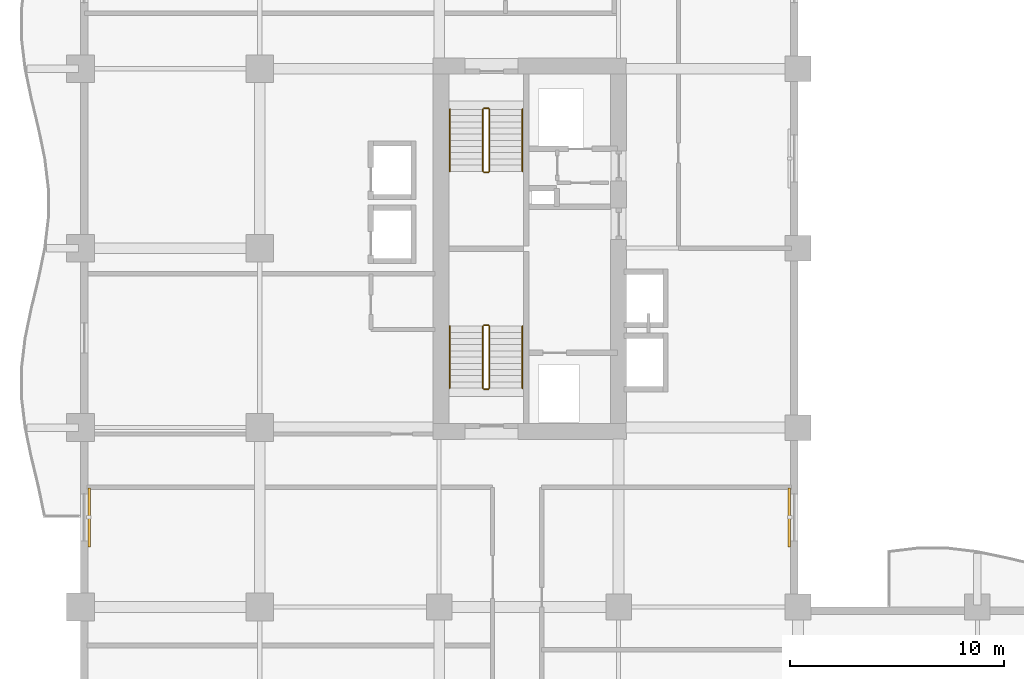
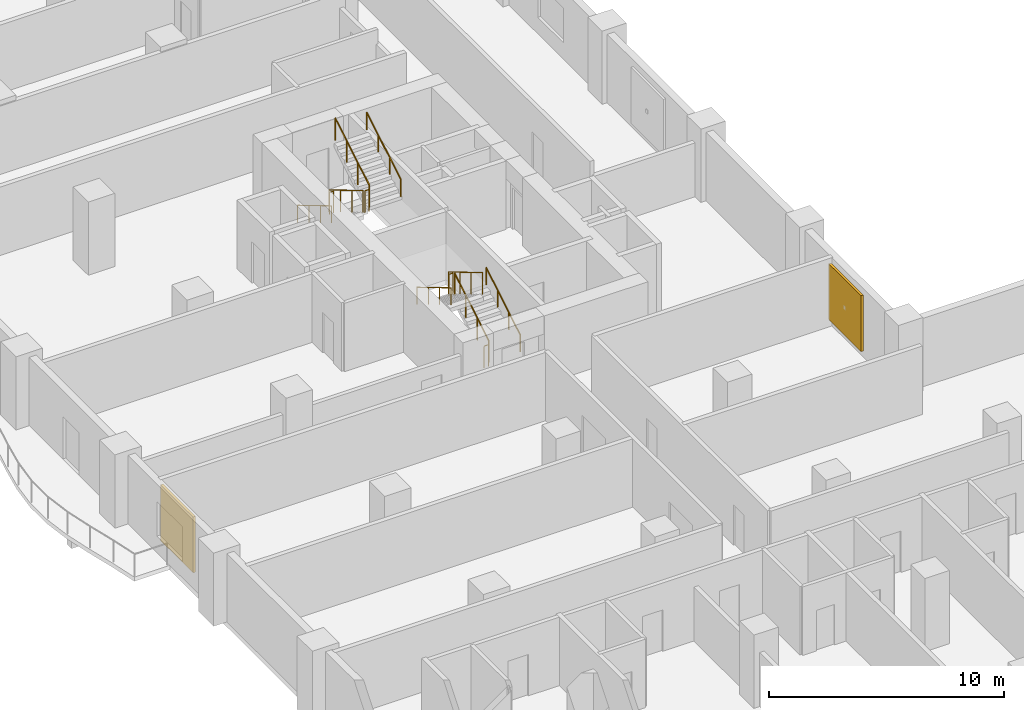
# One storey, part 16 of 17: 12 railings, 2 shading devices.
"""IFC4 building model written with IfcOpenShell, lengths in metres."""

from ifc_helpers import new_model, si_unit, direction, frame, origin, origin_2d, place, context, subcontext, project, spatial, rectangle, circle, extrude, material, layer, layer_set, type_object, element, save


model = new_model("IFC4")

# Units and contexts
model_context = context("Model", 3, precision=1e-05, world=origin(), true_north=direction((0.0, 1.0)))
body_context = subcontext(model_context, "Body", "Model", "MODEL_VIEW")
ifc_project = project(units=[si_unit("LENGTHUNIT", "METRE"), si_unit("AREAUNIT", "SQUARE_METRE"), si_unit("VOLUMEUNIT", "CUBIC_METRE"), si_unit("PLANEANGLEUNIT", "RADIAN"), si_unit("MASSUNIT", "GRAM", prefix="KILO")], contexts=[model_context])

# Site, building, storey
site_placement = place(None, origin())
site = spatial("IfcSite", under=ifc_project, at=site_placement, CompositionType="ELEMENT")
building_placement = place(site_placement, origin())
building = spatial("IfcBuilding", under=site, at=building_placement, Name="Koriwani Terraces Tower", CompositionType="ELEMENT")
storey_placement = place(building_placement, frame((0.0, 0.0, 130.39990234375)))
storey = spatial("IfcBuildingStorey", under=building, at=storey_placement, Name="L31", CompositionType="ELEMENT", Elevation=130.39990234375)

# Railings
ifc_material_1 = material(Name="Steel ASTM A572 Grade 50", Category="steel")
railing_type_1 = type_object("IfcRailingType", Name="GUARD_STAIR_WELL_1120", PredefinedType="GUARDRAIL", material=ifc_material_1)
railing_1_placement = place(storey_placement, frame((19.14990234375, 43.85009765625, 0.1728515625)))
element("IfcRailing", 1, at=railing_1_placement, inside=storey, type_object=railing_type_1, Name="L31 ST-W1 stair guard 1", PredefinedType="GUARDRAIL", context=body_context, shape_type="SweptSolid", body=[
    extrude(circle(Radius=0.02392578125, at=origin_2d()), frame((0.0, 0.0, 1.1259765625), z_axis=(0.0, 0.859141464434, 0.511738159696), x_axis=(-1.0, 0.0, 0.0)), (0.0, 0.0, 1.0), 3.375244140625),
    extrude(circle(Radius=0.02099609375, at=origin_2d()), origin(), (0.0, 0.0, 1.0), 1.101806640625),
    extrude(circle(Radius=0.02099609375, at=origin_2d()), frame((0.0, 0.966552734375, 0.57568359375)), (0.0, 0.0, 1.0), 1.101806640625),
    extrude(circle(Radius=0.02099609375, at=origin_2d()), frame((0.0, 1.933349609375, 1.151611328125)), (0.0, 0.0, 1.0), 1.101806640625),
    extrude(circle(Radius=0.02099609375, at=origin_2d()), frame((0.0, 2.89990234375, 1.727294921875)), (0.0, 0.0, 1.0), 1.101806640625),
])
railing_2_placement = place(storey_placement, frame((19.10009765625, 46.800048828125, 1.900146484375)))
element("IfcRailing", 2, at=railing_2_placement, inside=storey, type_object=railing_type_1, Name="L31 ST-W1 stair guard 2", PredefinedType="GUARDRAIL", context=body_context, shape_type="SweptSolid", body=[
    extrude(circle(Radius=0.02392578125, at=origin_2d()), frame((0.0, 0.0, 1.1259765625), z_axis=(-1.0, 0.0, 0.0), x_axis=(0.0, -1.0, 0.0)), (0.0, 0.0, 1.0), 0.2001953125),
    extrude(circle(Radius=0.02099609375, at=origin_2d()), origin(), (0.0, 0.0, 1.0), 1.101806640625),
    extrude(circle(Radius=0.02099609375, at=origin_2d()), frame((-0.2001953125, 0.0, 0.0)), (0.0, 0.0, 1.0), 1.101806640625),
])
railing_3_placement = place(storey_placement, frame((18.85009765625, 46.75, 2.07275390625)))
element("IfcRailing", 3, at=railing_3_placement, inside=storey, type_object=railing_type_1, Name="L31 ST-W1 stair guard 3", PredefinedType="GUARDRAIL", context=body_context, shape_type="SweptSolid", body=[
    extrude(circle(Radius=0.02392578125, at=origin_2d()), frame((0.0, 0.0, 1.1259765625), z_axis=(0.0, -0.859141464434, 0.511738159696), x_axis=(1.0, 0.0, 0.0)), (0.0, 0.0, 1.0), 3.375244140625),
    extrude(circle(Radius=0.02099609375, at=origin_2d()), origin(), (0.0, 0.0, 1.0), 1.101806640625),
    extrude(circle(Radius=0.02099609375, at=origin_2d()), frame((0.0, -0.966552734375, 0.57568359375)), (0.0, 0.0, 1.0), 1.101806640625),
    extrude(circle(Radius=0.02099609375, at=origin_2d()), frame((0.0, -1.933349609375, 1.151611328125)), (0.0, 0.0, 1.0), 1.101806640625),
    extrude(circle(Radius=0.02099609375, at=origin_2d()), frame((0.0, -2.89990234375, 1.727294921875)), (0.0, 0.0, 1.0), 1.101806640625),
])
railing_4_placement = place(storey_placement, frame((19.10009765625, 43.800048828125, 0.0)))
element("IfcRailing", 4, at=railing_4_placement, inside=storey, type_object=railing_type_1, Name="L31 ST-W1 stair guard 4", PredefinedType="GUARDRAIL", context=body_context, shape_type="SweptSolid", body=[
    extrude(circle(Radius=0.02392578125, at=origin_2d()), frame((0.0, 0.0, 1.1259765625), z_axis=(-1.0, 0.0, 0.0), x_axis=(0.0, -1.0, 0.0)), (0.0, 0.0, 1.0), 0.2001953125),
    extrude(circle(Radius=0.02099609375, at=origin_2d()), origin(), (0.0, 0.0, 1.0), 1.101806640625),
    extrude(circle(Radius=0.02099609375, at=origin_2d()), frame((-0.2001953125, 0.0, 0.0)), (0.0, 0.0, 1.0), 1.101806640625),
])
railing_5_placement = place(storey_placement, frame((18.85009765625, 56.89990234375, 0.1728515625)))
element("IfcRailing", 5, at=railing_5_placement, inside=storey, type_object=railing_type_1, Name="L31 ST-W2 stair guard 1", PredefinedType="GUARDRAIL", context=body_context, shape_type="SweptSolid", body=[
    extrude(circle(Radius=0.02392578125, at=origin_2d()), frame((0.0, 0.0, 1.1259765625), z_axis=(0.0, -0.859141464434, 0.511738159696), x_axis=(1.0, 0.0, 0.0)), (0.0, 0.0, 1.0), 3.375244140625),
    extrude(circle(Radius=0.02099609375, at=origin_2d()), origin(), (0.0, 0.0, 1.0), 1.101806640625),
    extrude(circle(Radius=0.02099609375, at=origin_2d()), frame((0.0, -0.966552734375, 0.57568359375)), (0.0, 0.0, 1.0), 1.101806640625),
    extrude(circle(Radius=0.02099609375, at=origin_2d()), frame((0.0, -1.933349609375, 1.151611328125)), (0.0, 0.0, 1.0), 1.101806640625),
    extrude(circle(Radius=0.02099609375, at=origin_2d()), frame((0.0, -2.89990234375, 1.727294921875)), (0.0, 0.0, 1.0), 1.101806640625),
])
railing_6_placement = place(storey_placement, frame((18.89990234375, 53.949951171875, 1.900146484375)))
element("IfcRailing", 6, at=railing_6_placement, inside=storey, type_object=railing_type_1, Name="L31 ST-W2 stair guard 2", PredefinedType="GUARDRAIL", context=body_context, shape_type="SweptSolid", body=[
    extrude(circle(Radius=0.02392578125, at=origin_2d()), frame((0.0, 0.0, 1.1259765625), z_axis=(1.0, 0.0, 0.0), x_axis=(0.0, 1.0, 0.0)), (0.0, 0.0, 1.0), 0.2001953125),
    extrude(circle(Radius=0.02099609375, at=origin_2d()), origin(), (0.0, 0.0, 1.0), 1.101806640625),
    extrude(circle(Radius=0.02099609375, at=origin_2d()), frame((0.2001953125, 0.0, 0.0)), (0.0, 0.0, 1.0), 1.101806640625),
])
railing_7_placement = place(storey_placement, frame((19.14990234375, 54.0, 2.07275390625)))
element("IfcRailing", 7, at=railing_7_placement, inside=storey, type_object=railing_type_1, Name="L31 ST-W2 stair guard 3", PredefinedType="GUARDRAIL", context=body_context, shape_type="SweptSolid", body=[
    extrude(circle(Radius=0.02392578125, at=origin_2d()), frame((0.0, 0.0, 1.1259765625), z_axis=(0.0, 0.859141464434, 0.511738159696), x_axis=(-1.0, 0.0, 0.0)), (0.0, 0.0, 1.0), 3.375244140625),
    extrude(circle(Radius=0.02099609375, at=origin_2d()), origin(), (0.0, 0.0, 1.0), 1.101806640625),
    extrude(circle(Radius=0.02099609375, at=origin_2d()), frame((0.0, 0.966552734375, 0.57568359375)), (0.0, 0.0, 1.0), 1.101806640625),
    extrude(circle(Radius=0.02099609375, at=origin_2d()), frame((0.0, 1.933349609375, 1.151611328125)), (0.0, 0.0, 1.0), 1.101806640625),
    extrude(circle(Radius=0.02099609375, at=origin_2d()), frame((0.0, 2.89990234375, 1.727294921875)), (0.0, 0.0, 1.0), 1.101806640625),
])
railing_8_placement = place(storey_placement, frame((18.89990234375, 56.949951171875, 0.0)))
element("IfcRailing", 8, at=railing_8_placement, inside=storey, type_object=railing_type_1, Name="L31 ST-W2 stair guard 4", PredefinedType="GUARDRAIL", context=body_context, shape_type="SweptSolid", body=[
    extrude(circle(Radius=0.02392578125, at=origin_2d()), frame((0.0, 0.0, 1.1259765625), z_axis=(1.0, 0.0, 0.0), x_axis=(0.0, 1.0, 0.0)), (0.0, 0.0, 1.0), 0.2001953125),
    extrude(circle(Radius=0.02099609375, at=origin_2d()), origin(), (0.0, 0.0, 1.0), 1.101806640625),
    extrude(circle(Radius=0.02099609375, at=origin_2d()), frame((0.2001953125, 0.0, 0.0)), (0.0, 0.0, 1.0), 1.101806640625),
])
railing_type_2 = type_object("IfcRailingType", Name="HANDRAIL_STAIR_920", PredefinedType="HANDRAIL", material=ifc_material_1)
railing_9_placement = place(storey_placement, frame((20.699951171875, 43.85009765625, 0.1728515625)))
element("IfcRailing", 9, at=railing_9_placement, inside=storey, type_object=railing_type_2, Name="L31 ST-W1 stair handrail 1", PredefinedType="HANDRAIL", context=body_context, shape_type="SweptSolid", body=[
    extrude(circle(Radius=0.02392578125, at=origin_2d()), frame((0.0, 0.0, 0.8759765625), z_axis=(0.0, 0.859141464434, 0.511738159696), x_axis=(-1.0, 0.0, 0.0)), (0.0, 0.0, 1.0), 3.375244140625),
    extrude(circle(Radius=0.02099609375, at=origin_2d()), origin(), (0.0, 0.0, 1.0), 0.851806640625),
    extrude(circle(Radius=0.02099609375, at=origin_2d()), frame((0.0, 0.966552734375, 0.57568359375)), (0.0, 0.0, 1.0), 0.851806640625),
    extrude(circle(Radius=0.02099609375, at=origin_2d()), frame((0.0, 1.933349609375, 1.151611328125)), (0.0, 0.0, 1.0), 0.851806640625),
    extrude(circle(Radius=0.02099609375, at=origin_2d()), frame((0.0, 2.89990234375, 1.727294921875)), (0.0, 0.0, 1.0), 0.851806640625),
])
for number, where, name in (
    (10, (17.300048828125, 46.75, 2.07275390625), "L31 ST-W1 stair handrail 2"),
    (11, (17.300048828125, 56.89990234375, 0.1728515625), "L31 ST-W2 stair handrail 1"),
):
    element("IfcRailing", number, at=place(storey_placement, frame(where)), inside=storey, type_object=railing_type_2, Name=name, PredefinedType="HANDRAIL", context=body_context, shape_type="SweptSolid", body=[
        extrude(circle(Radius=0.02392578125, at=origin_2d()), frame((0.0, 0.0, 0.8759765625), z_axis=(0.0, -0.859141464434, 0.511738159696), x_axis=(1.0, 0.0, 0.0)), (0.0, 0.0, 1.0), 3.375244140625),
        extrude(circle(Radius=0.02099609375, at=origin_2d()), origin(), (0.0, 0.0, 1.0), 0.851806640625),
        extrude(circle(Radius=0.02099609375, at=origin_2d()), frame((0.0, -0.966552734375, 0.57568359375)), (0.0, 0.0, 1.0), 0.851806640625),
        extrude(circle(Radius=0.02099609375, at=origin_2d()), frame((0.0, -1.933349609375, 1.151611328125)), (0.0, 0.0, 1.0), 0.851806640625),
        extrude(circle(Radius=0.02099609375, at=origin_2d()), frame((0.0, -2.89990234375, 1.727294921875)), (0.0, 0.0, 1.0), 0.851806640625),
    ])
railing_10_placement = place(storey_placement, frame((20.699951171875, 54.0, 2.07275390625)))
element("IfcRailing", 12, at=railing_10_placement, inside=storey, type_object=railing_type_2, Name="L31 ST-W2 stair handrail 2", PredefinedType="HANDRAIL", context=body_context, shape_type="SweptSolid", body=[
    extrude(circle(Radius=0.02392578125, at=origin_2d()), frame((0.0, 0.0, 0.8759765625), z_axis=(0.0, 0.859141464434, 0.511738159696), x_axis=(-1.0, 0.0, 0.0)), (0.0, 0.0, 1.0), 3.375244140625),
    extrude(circle(Radius=0.02099609375, at=origin_2d()), origin(), (0.0, 0.0, 1.0), 0.851806640625),
    extrude(circle(Radius=0.02099609375, at=origin_2d()), frame((0.0, 0.966552734375, 0.57568359375)), (0.0, 0.0, 1.0), 0.851806640625),
    extrude(circle(Radius=0.02099609375, at=origin_2d()), frame((0.0, 1.933349609375, 1.151611328125)), (0.0, 0.0, 1.0), 0.851806640625),
    extrude(circle(Radius=0.02099609375, at=origin_2d()), frame((0.0, 2.89990234375, 1.727294921875)), (0.0, 0.0, 1.0), 0.851806640625),
])

# Shading devices
ifc_material_2 = material(Name="Extruded Terracotta Clay", Category="masonry")
ifc_layer = layer(ifc_material_2, 0.1201171875, Name="Extruded Terracotta Clay")
ifc_layer_set = layer_set([ifc_layer], Name="Extruded Terracotta Clay")
shading_device_type = type_object("IfcShadingDeviceType", Name="TERRACOTTA_BAGUETTE_SCREEN_2800", PredefinedType="USERDEFINED", material=ifc_layer_set)
for number, where, z_axis, x_axis, name in (
    (13, (0.405029296875, 37.800048828125, 0.3251953125), (0.0, 0.0, 1.0), (0.0, 1.0, 0.0), "L31 Extruded Terracotta Baguette Screen (W-12)"),
    (14, (33.195068359375, 37.800048828125, 0.3251953125), (0.0, 0.0, 1.0), (0.0, -1.0, 0.0), "L31 Extruded Terracotta Baguette Screen (NW_IN-2)"),
):
    element("IfcShadingDevice", number, at=place(storey_placement, frame(where, z_axis=z_axis, x_axis=x_axis)), inside=storey, type_object=shading_device_type, Name=name, ObjectType="BAGUETTE", PredefinedType="USERDEFINED", context=body_context, shape_type="SweptSolid", body=[
        extrude(rectangle(XDim=2.760009765625, YDim=0.1201171875, at=origin_2d()), origin(), (0.0, 0.0, 1.0), 2.89990234375),
    ])

save(model, "model.ifc")
